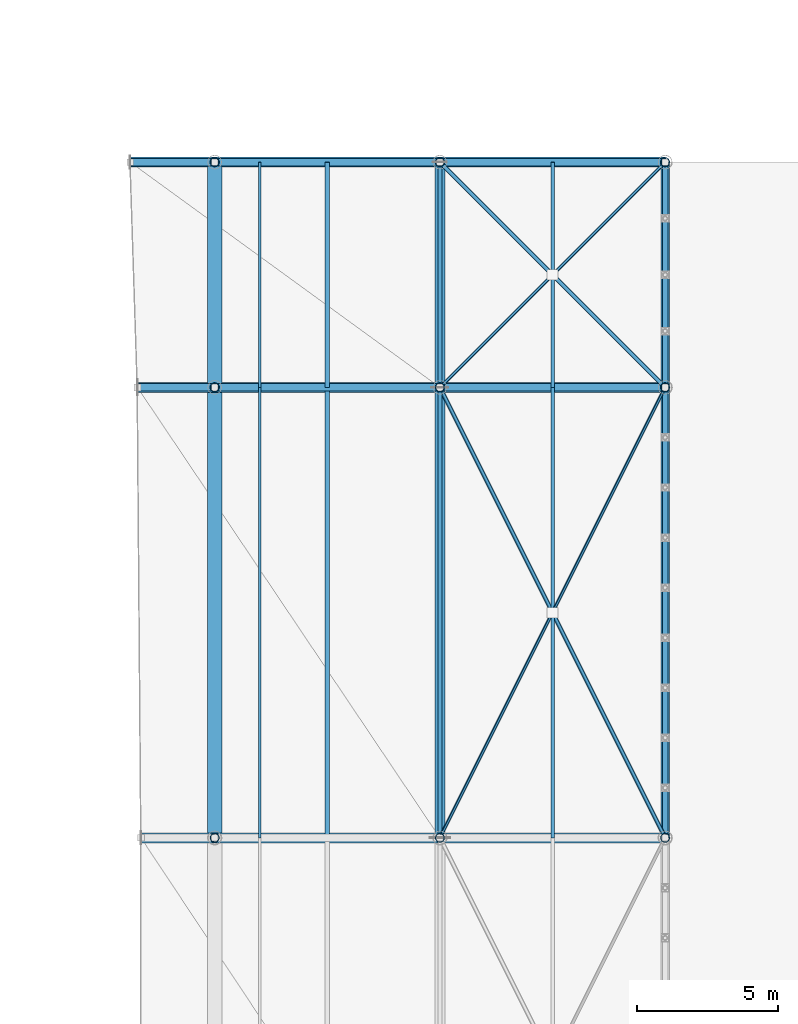
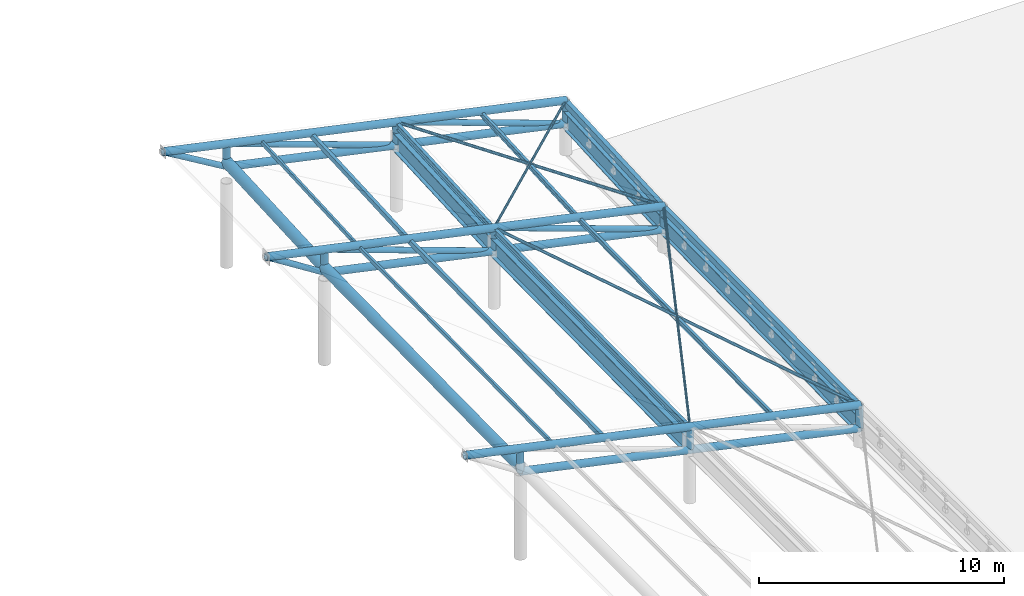
# One storey, part 24 of 54: 35 members, 8 beams.
"""IFC4 building model written with IfcOpenShell, lengths in metres."""

from ifc_helpers import new_model, si_unit, direction, frame, origin, origin_2d, place, context, subcontext, project, spatial, hollow_rectangle, hollow_circle, i_section, extrude, material, material_profile, profile_set, type_object, element, save


model = new_model("IFC4")

# Units and contexts
model_context = context("Model", 3, precision=1e-05, world=origin(), true_north=direction((0.0, 1.0)))
body_context = subcontext(model_context, "Body", "Model", "MODEL_VIEW")
ifc_project = project(units=[si_unit("LENGTHUNIT", "METRE"), si_unit("AREAUNIT", "SQUARE_METRE"), si_unit("VOLUMEUNIT", "CUBIC_METRE"), si_unit("PLANEANGLEUNIT", "RADIAN"), si_unit("MASSUNIT", "GRAM", prefix="KILO")], contexts=[model_context])

# Site, building, storey
site_placement = place(None, origin())
site = spatial("IfcSite", under=ifc_project, at=site_placement, CompositionType="ELEMENT")
building_placement = place(site_placement, origin())
building = spatial("IfcBuilding", under=site, at=building_placement, Name="Haebicheon Civic Stadium", CompositionType="ELEMENT")
storey_placement = place(building_placement, frame((0.0, 0.0, 22.800048828125)))
storey = spatial("IfcBuildingStorey", under=building, at=storey_placement, Name="L06", CompositionType="ELEMENT", Elevation=22.800048828125)

# Members
ifc_material_1 = material(Name="White painted steel SM490", Category="steel")
ifc_material_profile_1 = material_profile(ifc_material_1, hollow_circle(Radius=0.05712890625, WallThickness=0.006103515625, at=origin_2d()), Name="CHS-114.3x6.0")
ifc_profile_set_1 = profile_set([ifc_material_profile_1], Name="White painted steel SM490")
member_type_1 = type_object("IfcMemberType", Name="BRC-CHS114", PredefinedType="BRACE", material=ifc_profile_set_1)
for number, where, z_axis, x_axis, name in (
    (1, (208.0, 120.0, 2.18994140625), (-0.445632646826, -0.891265293651, 0.084010239948), (0.894427191, -0.4472135955, 0.0), "BR114 diagonal brace CAN-COMM canopy bay 4 B1"),
    (2, (203.968017578125, 111.93603515625, 2.949951171875), (-0.445632646826, -0.891265293651, 0.084010239948), (0.894427191, -0.4472135955, 0.0), "BR114 diagonal brace CAN-COMM canopy bay 4 B2"),
):
    element("IfcMember", number, at=place(storey_placement, frame(where, z_axis=z_axis, x_axis=x_axis)), inside=storey, type_object=member_type_1, material=ifc_profile_set_1, Name=name, PredefinedType="BRACE", context=body_context, shape_type="SweptSolid", body=[
        extrude(hollow_circle(Radius=0.05712890625, WallThickness=0.006103515625, at=origin_2d()), origin(), (0.0, 0.0, 1.0), 8.904296875),
    ])
for number, where, z_axis, x_axis, name in (
    (3, (208.0, 128.0, 2.612060546875), (-0.702496457379, -0.702496457379, 0.114006380255), (0.707106781187, -0.707106781187, 0.0), "BR114 diagonal brace CAN-COMM canopy bay 5 B1"),
    (4, (203.948974609375, 123.948974609375, 3.26904296875), (-0.702496457379, -0.702496457379, 0.114006380255), (0.707106781187, -0.707106781187, 0.0), "BR114 diagonal brace CAN-COMM canopy bay 5 B2"),
):
    element("IfcMember", number, at=place(storey_placement, frame(where, z_axis=z_axis, x_axis=x_axis)), inside=storey, type_object=member_type_1, material=ifc_profile_set_1, Name=name, PredefinedType="BRACE", context=body_context, shape_type="SweptSolid", body=[
        extrude(hollow_circle(Radius=0.05712890625, WallThickness=0.006103515625, at=origin_2d()), origin(), (0.0, 0.0, 1.0), 5.621337890625),
    ])
ifc_material_2 = material(Name="White painted steel SM490", Category="steel")
ifc_material_profile_2 = material_profile(ifc_material_2, hollow_circle(Radius=0.06982421875, WallThickness=0.006591796875, at=origin_2d()), Name="CHS-139.8x6.6")
ifc_profile_set_2 = profile_set([ifc_material_profile_2], Name="White painted steel SM490")
member_type_2 = type_object("IfcMemberType", Name="BRC-CHS139", PredefinedType="BRACE", material=ifc_profile_set_2)
member_1_placement = place(storey_placement, frame((208.0, 104.0, 1.97802734375), z_axis=(-0.444628249249, 0.889256498497, 0.107371317636), x_axis=(-0.894427191, -0.4472135955, 0.0)))
element("IfcMember", 5, at=member_1_placement, inside=storey, type_object=member_type_2, material=ifc_profile_set_2, Name="BR139 diagonal brace CAN-COMM canopy bay 4 A", PredefinedType="BRACE", context=body_context, shape_type="SweptSolid", body=[
    extrude(hollow_circle(Radius=0.06982421875, WallThickness=0.006591796875, at=origin_2d()), origin(), (0.0, 0.0, 1.0), 17.99267578125),
])
member_2_placement = place(storey_placement, frame((208.0, 120.0, 2.18994140625), z_axis=(-0.694763474212, 0.694763474212, 0.18603072274), x_axis=(-0.707106781187, -0.707106781187, 0.0)))
element("IfcMember", 6, at=member_2_placement, inside=storey, type_object=member_type_2, material=ifc_profile_set_2, Name="BR139 diagonal brace CAN-COMM canopy bay 5 A", PredefinedType="BRACE", context=body_context, shape_type="SweptSolid", body=[
    extrude(hollow_circle(Radius=0.06982421875, WallThickness=0.006591796875, at=origin_2d()), origin(), (0.0, 0.0, 1.0), 11.5146484375),
])
ifc_material_3 = material(Name="White painted steel SM490", Category="steel")
ifc_material_profile_3 = material_profile(ifc_material_3, hollow_circle(Radius=0.1337890625, WallThickness=0.011962890625, at=origin_2d()), Name="CHS-267.4x12.0")
ifc_profile_set_3 = profile_set([ifc_material_profile_3], Name="White painted steel SM490")
member_type_3 = type_object("IfcMemberType", Name="BRC-CHS267", PredefinedType="BRACE", material=ifc_profile_set_3)
member_3_placement = place(storey_placement, frame((191.882080078125, 120.0, 4.554931640625), z_axis=(-0.844539757698, 0.0, 0.535492854918), x_axis=(0.0, -1.0, 0.0)))
element("IfcMember", 7, at=member_3_placement, inside=storey, type_object=member_type_3, material=ifc_profile_set_3, Name="BR267 diagonal brace CAN-COMM truss 5 tip", PredefinedType="BRACE", context=body_context, shape_type="SweptSolid", body=[
    extrude(hollow_circle(Radius=0.1337890625, WallThickness=0.011962890625, at=origin_2d()), origin(), (0.0, 0.0, 1.0), 3.109375),
])
for number, where, z_axis, x_axis, name in (
    (8, (208.0, 120.0, 1.0400390625), (-0.9412665544, 0.0, 0.3376644393), (0.0, -1.0, 0.0), "BR267 diagonal brace CAN-COMM truss 5 D1"),
    (9, (200.0, 120.0, 2.760009765625), (-0.9412665544, 0.0, 0.3376644393), (0.0, -1.0, 0.0), "BR267 diagonal brace CAN-COMM truss 5 D2"),
):
    element("IfcMember", number, at=place(storey_placement, frame(where, z_axis=z_axis, x_axis=x_axis)), inside=storey, type_object=member_type_3, material=ifc_profile_set_3, Name=name, PredefinedType="BRACE", context=body_context, shape_type="SweptSolid", body=[
        extrude(hollow_circle(Radius=0.1337890625, WallThickness=0.011962890625, at=origin_2d()), origin(), (0.0, 0.0, 1.0), 8.499267578125),
    ])
member_4_placement = place(storey_placement, frame((191.8798828125, 128.0, 4.973876953125), z_axis=(-0.858121330711, 0.0, 0.513446961017), x_axis=(0.0, -1.0, 0.0)))
element("IfcMember", 10, at=member_4_placement, inside=storey, type_object=member_type_3, material=ifc_profile_set_3, Name="BR267 diagonal brace CAN-COMM truss 6 tip", PredefinedType="BRACE", context=body_context, shape_type="SweptSolid", body=[
    extrude(hollow_circle(Radius=0.1337890625, WallThickness=0.011962890625, at=origin_2d()), origin(), (0.0, 0.0, 1.0), 3.35595703125),
])
for number, where, z_axis, x_axis, name in (
    (11, (208.0, 128.0, 1.4619140625), (-0.941257424358, 0.0, 0.337689888939), (0.0, -1.0, 0.0), "BR267 diagonal brace CAN-COMM truss 6 D1"),
    (12, (200.0, 128.0, 3.181884765625), (-0.941257424358, 0.0, 0.337689888939), (0.0, -1.0, 0.0), "BR267 diagonal brace CAN-COMM truss 6 D2"),
):
    element("IfcMember", number, at=place(storey_placement, frame(where, z_axis=z_axis, x_axis=x_axis)), inside=storey, type_object=member_type_3, material=ifc_profile_set_3, Name=name, PredefinedType="BRACE", context=body_context, shape_type="SweptSolid", body=[
        extrude(hollow_circle(Radius=0.1337890625, WallThickness=0.011962890625, at=origin_2d()), origin(), (0.0, 0.0, 1.0), 8.499267578125),
    ])
ifc_material_4 = material(Name="White painted steel SM490", Category="steel")
ifc_material_profile_4 = material_profile(ifc_material_4, hollow_circle(Radius=0.177734375, WallThickness=0.01611328125, at=origin_2d()), Name="CHS-355.6x16.0")
ifc_profile_set_4 = profile_set([ifc_material_profile_4], Name="White painted steel SM490")
member_type_4 = type_object("IfcMemberType", Name="CHD-CHS355", PredefinedType="CHORD", material=ifc_profile_set_4)
member_5_placement = place(storey_placement, frame((208.0, 104.0, 1.97802734375), z_axis=(-0.977664291264, 0.0, 0.210172628063), x_axis=(0.0, -1.0, 0.0)))
element("IfcMember", 13, at=member_5_placement, inside=storey, type_object=member_type_4, material=ifc_profile_set_4, Name="CH355 truss chord CAN-COMM 4 top", PredefinedType="CHORD", context=body_context, shape_type="SweptSolid", body=[
    extrude(hollow_circle(Radius=0.177734375, WallThickness=0.01611328125, at=origin_2d()), origin(), (0.0, 0.0, 1.0), 19.041259765625),
])
member_6_placement = place(storey_placement, frame((208.0, 104.0, 0.827880859375), z_axis=(-0.977656784121, 0.0, 0.210207546159), x_axis=(0.0, -1.0, 0.0)))
element("IfcMember", 14, at=member_6_placement, inside=storey, type_object=member_type_4, material=ifc_profile_set_4, Name="CH355 truss chord CAN-COMM 4 bottom", PredefinedType="CHORD", context=body_context, shape_type="SweptSolid", body=[
    extrude(hollow_circle(Radius=0.177734375, WallThickness=0.01611328125, at=origin_2d()), origin(), (0.0, 0.0, 1.0), 16.36572265625),
])
member_7_placement = place(storey_placement, frame((208.0, 120.0, 2.18994140625), z_axis=(-0.977658132727, 0.0, 0.210201273812), x_axis=(0.0, -1.0, 0.0)))
element("IfcMember", 15, at=member_7_placement, inside=storey, type_object=member_type_4, material=ifc_profile_set_4, Name="CH355 truss chord CAN-COMM 5 top", PredefinedType="CHORD", context=body_context, shape_type="SweptSolid", body=[
    extrude(hollow_circle(Radius=0.177734375, WallThickness=0.01611328125, at=origin_2d()), origin(), (0.0, 0.0, 1.0), 19.172119140625),
])
member_8_placement = place(storey_placement, frame((208.0, 120.0, 1.0400390625), z_axis=(-0.977659849808, 0.0, 0.210193287411), x_axis=(0.0, -1.0, 0.0)))
element("IfcMember", 16, at=member_8_placement, inside=storey, type_object=member_type_4, material=ifc_profile_set_4, Name="CH355 truss chord CAN-COMM 5 bottom", PredefinedType="CHORD", context=body_context, shape_type="SweptSolid", body=[
    extrude(hollow_circle(Radius=0.177734375, WallThickness=0.01611328125, at=origin_2d()), origin(), (0.0, 0.0, 1.0), 16.36572265625),
])
member_9_placement = place(storey_placement, frame((208.0, 128.0, 2.612060546875), z_axis=(-0.977659527113, 0.0, 0.210194788339), x_axis=(0.0, -1.0, 0.0)))
element("IfcMember", 17, at=member_9_placement, inside=storey, type_object=member_type_4, material=ifc_profile_set_4, Name="CH355 truss chord CAN-COMM 6 top", PredefinedType="CHORD", context=body_context, shape_type="SweptSolid", body=[
    extrude(hollow_circle(Radius=0.177734375, WallThickness=0.01611328125, at=origin_2d()), origin(), (0.0, 0.0, 1.0), 19.43408203125),
])
member_10_placement = place(storey_placement, frame((208.0, 128.0, 1.4619140625), z_axis=(-0.977659849808, 0.0, 0.210193287411), x_axis=(0.0, -1.0, 0.0)))
element("IfcMember", 18, at=member_10_placement, inside=storey, type_object=member_type_4, material=ifc_profile_set_4, Name="CH355 truss chord CAN-COMM 6 bottom", PredefinedType="CHORD", context=body_context, shape_type="SweptSolid", body=[
    extrude(hollow_circle(Radius=0.177734375, WallThickness=0.01611328125, at=origin_2d()), origin(), (0.0, 0.0, 1.0), 16.36572265625),
])
ifc_material_5 = material(Name="White painted steel SM490", Category="steel")
ifc_material_profile_5 = material_profile(ifc_material_5, hollow_rectangle(XDim=0.10009765625, YDim=0.199951171875, WallThickness=0.008056640625, at=origin_2d()), Name="RHS-200x100x8.0")
ifc_profile_set_5 = profile_set([ifc_material_profile_5], Name="White painted steel SM490")
member_type_5 = type_object("IfcMemberType", Name="PRL-RHS200", PredefinedType="RAFTER", material=ifc_profile_set_5)
member_11_placement = place(storey_placement, frame((193.60009765625, 104.0, 5.0068359375), z_axis=(0.0, 0.99991209928, 0.013258722142), x_axis=(-1.0, 0.0, 0.0)))
element("IfcMember", 19, at=member_11_placement, inside=storey, type_object=member_type_5, material=ifc_profile_set_5, Name="CAN-COMM canopy purlin bay 4 (90%)", PredefinedType="RAFTER", context=body_context, shape_type="SweptSolid", body=[
    extrude(hollow_rectangle(XDim=0.10009765625, YDim=0.199951171875, WallThickness=0.008056640625, at=origin_2d()), origin(), (0.0, 0.0, 1.0), 16.00146484375),
])
member_12_placement = place(storey_placement, frame((193.60009765625, 120.0, 5.218994140625), z_axis=(0.0, 0.998612436199, 0.05266120269), x_axis=(-1.0, 0.0, 0.0)))
element("IfcMember", 20, at=member_12_placement, inside=storey, type_object=member_type_5, material=ifc_profile_set_5, Name="CAN-COMM canopy purlin bay 5 (90%)", PredefinedType="RAFTER", context=body_context, shape_type="SweptSolid", body=[
    extrude(hollow_rectangle(XDim=0.10009765625, YDim=0.199951171875, WallThickness=0.008056640625, at=origin_2d()), origin(), (0.0, 0.0, 1.0), 8.01123046875),
])
ifc_material_6 = material(Name="White painted steel SM490", Category="steel")
ifc_material_profile_6 = material_profile(ifc_material_6, hollow_rectangle(XDim=0.14990234375, YDim=0.25, WallThickness=0.010009765625, at=origin_2d()), Name="RHS-250x150x10.0")
ifc_profile_set_6 = profile_set([ifc_material_profile_6], Name="White painted steel SM490")
member_type_6 = type_object("IfcMemberType", Name="PRL-RHS250", PredefinedType="PURLIN", material=ifc_profile_set_6)
member_13_placement = place(storey_placement, frame((196.0, 104.0, 4.466064453125), z_axis=(0.0, 0.99991230144, 0.013243467371), x_axis=(-1.0, 0.0, 0.0)))
element("IfcMember", 21, at=member_13_placement, inside=storey, type_object=member_type_6, material=ifc_profile_set_6, Name="CAN-COMM canopy purlin bay 4 (75%)", PredefinedType="PURLIN", context=body_context, shape_type="SweptSolid", body=[
    extrude(hollow_rectangle(XDim=0.14990234375, YDim=0.25, WallThickness=0.010009765625, at=origin_2d()), origin(), (0.0, 0.0, 1.0), 16.00146484375),
])
member_14_placement = place(storey_placement, frame((196.0, 120.0, 4.677978515625), z_axis=(0.0, 0.998612436199, 0.05266120269), x_axis=(-1.0, 0.0, 0.0)))
element("IfcMember", 22, at=member_14_placement, inside=storey, type_object=member_type_6, material=ifc_profile_set_6, Name="CAN-COMM canopy purlin bay 5 (75%)", PredefinedType="PURLIN", context=body_context, shape_type="SweptSolid", body=[
    extrude(hollow_rectangle(XDim=0.14990234375, YDim=0.25, WallThickness=0.010009765625, at=origin_2d()), origin(), (0.0, 0.0, 1.0), 8.01123046875),
])
ifc_material_7 = material(Name="White painted steel SM490", Category="steel")
ifc_material_profile_7 = material_profile(ifc_material_7, i_section(OverallWidth=0.125, OverallDepth=0.25, WebThickness=0.006103515625, FlangeThickness=0.009033203125, at=origin_2d()), Name="H-250x125x6x9")
ifc_profile_set_7 = profile_set([ifc_material_profile_7], Name="White painted steel SM490")
member_type_7 = type_object("IfcMemberType", Name="PRL-ST-H250", PredefinedType="PURLIN", material=ifc_profile_set_7)
member_15_placement = place(storey_placement, frame((204.0, 104.0, 2.745849609375), z_axis=(0.0, 0.99991209928, 0.013258722142), x_axis=(-1.0, 0.0, 0.0)))
element("IfcMember", 23, at=member_15_placement, inside=storey, type_object=member_type_7, material=ifc_profile_set_7, Name="CAN-COMM canopy purlin bay 4 (25%)", PredefinedType="PURLIN", context=body_context, shape_type="SweptSolid", body=[
    extrude(i_section(OverallWidth=0.125, OverallDepth=0.25, WebThickness=0.006103515625, FlangeThickness=0.009033203125, at=origin_2d()), origin(), (0.0, 0.0, 1.0), 16.00146484375),
])
member_16_placement = place(storey_placement, frame((204.0, 120.0, 2.9580078125), z_axis=(0.0, 0.998612436199, 0.05266120269), x_axis=(-1.0, 0.0, 0.0)))
element("IfcMember", 24, at=member_16_placement, inside=storey, type_object=member_type_7, material=ifc_profile_set_7, Name="CAN-COMM canopy purlin bay 5 (25%)", PredefinedType="PURLIN", context=body_context, shape_type="SweptSolid", body=[
    extrude(i_section(OverallWidth=0.125, OverallDepth=0.25, WebThickness=0.006103515625, FlangeThickness=0.009033203125, at=origin_2d()), origin(), (0.0, 0.0, 1.0), 8.01123046875),
])
ifc_material_8 = material(Name="White painted steel SM490", Category="steel")
ifc_material_profile_8 = material_profile(ifc_material_8, i_section(OverallWidth=0.14990234375, OverallDepth=0.300048828125, WebThickness=0.006591796875, FlangeThickness=0.009033203125, at=origin_2d()), Name="H-300x150x6.5x9")
ifc_profile_set_8 = profile_set([ifc_material_profile_8], Name="White painted steel SM490")
member_type_8 = type_object("IfcMemberType", Name="PRL-ST-H300", PredefinedType="PURLIN", material=ifc_profile_set_8)
member_17_placement = place(storey_placement, frame((200.0, 104.0, 3.5810546875), z_axis=(0.0, 0.99991230144, 0.013243467371), x_axis=(-1.0, 0.0, 0.0)))
element("IfcMember", 25, at=member_17_placement, inside=storey, type_object=member_type_8, material=ifc_profile_set_8, Name="CAN-COMM canopy purlin bay 4 (50%)", PredefinedType="PURLIN", context=body_context, shape_type="SweptSolid", body=[
    extrude(i_section(OverallWidth=0.14990234375, OverallDepth=0.300048828125, WebThickness=0.006591796875, FlangeThickness=0.009033203125, at=origin_2d()), origin(), (0.0, 0.0, 1.0), 16.00146484375),
])
member_18_placement = place(storey_placement, frame((200.0, 120.0, 3.79296875), z_axis=(0.0, 0.998612436199, 0.05266120269), x_axis=(-1.0, 0.0, 0.0)))
element("IfcMember", 26, at=member_18_placement, inside=storey, type_object=member_type_8, material=ifc_profile_set_8, Name="CAN-COMM canopy purlin bay 5 (50%)", PredefinedType="PURLIN", context=body_context, shape_type="SweptSolid", body=[
    extrude(i_section(OverallWidth=0.14990234375, OverallDepth=0.300048828125, WebThickness=0.006591796875, FlangeThickness=0.009033203125, at=origin_2d()), origin(), (0.0, 0.0, 1.0), 8.01123046875),
])

# Beams
ifc_material_9 = material(Name="White painted steel SM490", Category="steel")
ifc_material_profile_9 = material_profile(ifc_material_9, hollow_circle(Radius=0.25390625, WallThickness=0.02490234375, at=origin_2d()), Name="CHS-508.0x25.0")
ifc_profile_set_9 = profile_set([ifc_material_profile_9], Name="White painted steel SM490")
beam_type_1 = type_object("IfcBeamType", Name="RB-ST-CHS508", PredefinedType="USERDEFINED", material=ifc_profile_set_9)
beam_1_placement = place(storey_placement, frame((192.0, 104.0, 4.51806640625), z_axis=(0.0, 0.99991230144, 0.013243467371), x_axis=(-1.0, 0.0, 0.0)))
element("IfcBeam", 27, at=beam_1_placement, inside=storey, type_object=beam_type_1, material=ifc_profile_set_9, Name="CAN-COMM polygonal ring beam RB-PIR bay 4", ObjectType="RING BEAM", PredefinedType="USERDEFINED", context=body_context, shape_type="SweptSolid", body=[
    extrude(hollow_circle(Radius=0.25390625, WallThickness=0.02490234375, at=origin_2d()), origin(), (0.0, 0.0, 1.0), 16.00146484375),
])
beam_2_placement = place(storey_placement, frame((192.0, 120.0, 4.72998046875), z_axis=(0.0, 0.998612436199, 0.05266120269), x_axis=(-1.0, 0.0, 0.0)))
element("IfcBeam", 28, at=beam_2_placement, inside=storey, type_object=beam_type_1, material=ifc_profile_set_9, Name="CAN-COMM polygonal ring beam RB-PIR bay 5", ObjectType="RING BEAM", PredefinedType="USERDEFINED", context=body_context, shape_type="SweptSolid", body=[
    extrude(hollow_circle(Radius=0.25390625, WallThickness=0.02490234375, at=origin_2d()), origin(), (0.0, 0.0, 1.0), 8.01123046875),
])
ifc_material_10 = material(Name="White painted steel SM490", Category="steel")
ifc_material_profile_10 = material_profile(ifc_material_10, i_section(OverallWidth=0.35009765625, OverallDepth=0.89990234375, WebThickness=0.01806640625, FlangeThickness=0.031982421875, at=origin_2d()), Name="H-900x350x18x32")
ifc_profile_set_10 = profile_set([ifc_material_profile_10], Name="White painted steel SM490")
beam_type_2 = type_object("IfcBeamType", Name="RB-ST-H900A", PredefinedType="USERDEFINED", material=ifc_profile_set_10)
beam_3_placement = place(storey_placement, frame((200.0, 104.0, 2.7978515625), z_axis=(0.0, 0.99991209928, 0.013258722142), x_axis=(-1.0, 0.0, 0.0)))
element("IfcBeam", 29, at=beam_3_placement, inside=storey, type_object=beam_type_2, material=ifc_profile_set_10, Name="CAN-COMM polygonal ring beam RB-PIV bay 4", ObjectType="RING BEAM", PredefinedType="USERDEFINED", context=body_context, shape_type="SweptSolid", body=[
    extrude(i_section(OverallWidth=0.35009765625, OverallDepth=0.89990234375, WebThickness=0.01806640625, FlangeThickness=0.031982421875, at=origin_2d()), origin(), (0.0, 0.0, 1.0), 16.00146484375),
])
beam_4_placement = place(storey_placement, frame((200.0, 120.0, 3.010009765625), z_axis=(0.0, 0.998612436199, 0.05266120269), x_axis=(-1.0, 0.0, 0.0)))
element("IfcBeam", 30, at=beam_4_placement, inside=storey, type_object=beam_type_2, material=ifc_profile_set_10, Name="CAN-COMM polygonal ring beam RB-PIV bay 5", ObjectType="RING BEAM", PredefinedType="USERDEFINED", context=body_context, shape_type="SweptSolid", body=[
    extrude(i_section(OverallWidth=0.35009765625, OverallDepth=0.89990234375, WebThickness=0.01806640625, FlangeThickness=0.031982421875, at=origin_2d()), origin(), (0.0, 0.0, 1.0), 8.01123046875),
])
ifc_material_11 = material(Name="White painted steel SM490", Category="steel")
ifc_material_profile_11 = material_profile(ifc_material_11, i_section(OverallWidth=0.300048828125, OverallDepth=0.89990234375, WebThickness=0.01611328125, FlangeThickness=0.028076171875, at=origin_2d()), Name="H-900x300x16x28")
ifc_profile_set_11 = profile_set([ifc_material_profile_11], Name="White painted steel SM490")
beam_type_3 = type_object("IfcBeamType", Name="RB-ST-H900B", PredefinedType="USERDEFINED", material=ifc_profile_set_11)
beam_5_placement = place(storey_placement, frame((208.0, 104.0, 1.077880859375), z_axis=(0.0, 0.99991209928, 0.013258722142), x_axis=(-1.0, 0.0, 0.0)))
element("IfcBeam", 31, at=beam_5_placement, inside=storey, type_object=beam_type_3, material=ifc_profile_set_11, Name="CAN-COMM polygonal ring beam RB-BCK bay 4", ObjectType="RING BEAM", PredefinedType="USERDEFINED", context=body_context, shape_type="SweptSolid", body=[
    extrude(i_section(OverallWidth=0.300048828125, OverallDepth=0.89990234375, WebThickness=0.01611328125, FlangeThickness=0.028076171875, at=origin_2d()), origin(), (0.0, 0.0, 1.0), 16.00146484375),
])
beam_6_placement = place(storey_placement, frame((208.0, 120.0, 1.2900390625), z_axis=(0.0, 0.998612436199, 0.05266120269), x_axis=(-1.0, 0.0, 0.0)))
element("IfcBeam", 32, at=beam_6_placement, inside=storey, type_object=beam_type_3, material=ifc_profile_set_11, Name="CAN-COMM polygonal ring beam RB-BCK bay 5", ObjectType="RING BEAM", PredefinedType="USERDEFINED", context=body_context, shape_type="SweptSolid", body=[
    extrude(i_section(OverallWidth=0.300048828125, OverallDepth=0.89990234375, WebThickness=0.01611328125, FlangeThickness=0.028076171875, at=origin_2d()), origin(), (0.0, 0.0, 1.0), 8.01123046875),
])
ifc_material_12 = material(Name="White painted steel SM490", Category="steel")
ifc_material_profile_12 = material_profile(ifc_material_12, hollow_rectangle(XDim=0.199951171875, YDim=0.300048828125, WallThickness=0.011962890625, at=origin_2d()), Name="RHS-300x200x12.0")
ifc_profile_set_12 = profile_set([ifc_material_profile_12], Name="White painted steel SM490")
beam_type_4 = type_object("IfcBeamType", Name="RB-ST-RHS300", PredefinedType="USERDEFINED", material=ifc_profile_set_12)
beam_7_placement = place(storey_placement, frame((208.0, 104.0, 1.8779296875), z_axis=(0.0, 0.99991230144, 0.013243467371), x_axis=(-1.0, 0.0, 0.0)))
element("IfcBeam", 33, at=beam_7_placement, inside=storey, type_object=beam_type_4, material=ifc_profile_set_12, Name="CAN-COMM polygonal ring beam RB-TOP bay 4", ObjectType="RING BEAM", PredefinedType="USERDEFINED", context=body_context, shape_type="SweptSolid", body=[
    extrude(hollow_rectangle(XDim=0.199951171875, YDim=0.300048828125, WallThickness=0.011962890625, at=origin_2d()), origin(), (0.0, 0.0, 1.0), 16.00146484375),
])
beam_8_placement = place(storey_placement, frame((208.0, 120.0, 2.08984375), z_axis=(0.0, 0.998610833104, 0.052691593336), x_axis=(-1.0, 0.0, 0.0)))
element("IfcBeam", 34, at=beam_8_placement, inside=storey, type_object=beam_type_4, material=ifc_profile_set_12, Name="CAN-COMM polygonal ring beam RB-TOP bay 5", ObjectType="RING BEAM", PredefinedType="USERDEFINED", context=body_context, shape_type="SweptSolid", body=[
    extrude(hollow_rectangle(XDim=0.199951171875, YDim=0.300048828125, WallThickness=0.011962890625, at=origin_2d()), origin(), (0.0, 0.0, 1.0), 8.01123046875),
])

# Members
ifc_material_13 = material(Name="White painted steel SM490", Category="steel")
ifc_material_profile_13 = material_profile(ifc_material_13, hollow_circle(Radius=0.1591796875, WallThickness=0.013916015625, at=origin_2d()), Name="CHS-318.5x14.0")
ifc_profile_set_13 = profile_set([ifc_material_profile_13], Name="White painted steel SM490")
member_type_9 = type_object("IfcMemberType", Name="STR-CHS318", PredefinedType="STRUT", material=ifc_profile_set_13)
for number, where, z_axis, x_axis, name in (
    (35, (208.0, 104.0, 0.827880859375), (0.0, 0.0, 1.0), (1.0, 0.0, 0.0), "ST318 web strut CAN-COMM truss 4 VB"),
    (36, (200.0, 104.0, 2.5478515625), (0.0, 0.0, 1.0), (1.0, 0.0, 0.0), "ST318 web strut CAN-COMM truss 4 VP"),
):
    element("IfcMember", number, at=place(storey_placement, frame(where, z_axis=z_axis, x_axis=x_axis)), inside=storey, type_object=member_type_9, material=ifc_profile_set_13, Name=name, PredefinedType="STRUT", context=body_context, shape_type="SweptSolid", body=[
        extrude(hollow_circle(Radius=0.1591796875, WallThickness=0.013916015625, at=origin_2d()), origin(), (0.0, 0.0, 1.0), 1.150146484375),
    ])
for number, where, z_axis, x_axis, name in (
    (37, (192.0, 104.0, 4.26806640625), (0.0, 0.0, 1.0), (1.0, 0.0, 0.0), "ST318 web strut CAN-COMM truss 4 VR"),
    (38, (208.0, 120.0, 1.0400390625), (0.0, 0.0, 1.0), (1.0, 0.0, 0.0), "ST318 web strut CAN-COMM truss 5 VB"),
    (39, (200.0, 120.0, 2.760009765625), (0.0, 0.0, 1.0), (1.0, 0.0, 0.0), "ST318 web strut CAN-COMM truss 5 VP"),
    (40, (192.0, 120.0, 4.47998046875), (0.0, 0.0, 1.0), (1.0, 0.0, 0.0), "ST318 web strut CAN-COMM truss 5 VR"),
):
    element("IfcMember", number, at=place(storey_placement, frame(where, z_axis=z_axis, x_axis=x_axis)), inside=storey, type_object=member_type_9, material=ifc_profile_set_13, Name=name, PredefinedType="STRUT", context=body_context, shape_type="SweptSolid", body=[
        extrude(hollow_circle(Radius=0.1591796875, WallThickness=0.013916015625, at=origin_2d()), origin(), (0.0, 0.0, 1.0), 1.14990234375),
    ])
for number, where, z_axis, x_axis, name in (
    (41, (208.0, 128.0, 1.4619140625), (0.0, 0.0, 1.0), (1.0, 0.0, 0.0), "ST318 web strut CAN-COMM truss 6 VB"),
    (42, (200.0, 128.0, 3.181884765625), (0.0, 0.0, 1.0), (1.0, 0.0, 0.0), "ST318 web strut CAN-COMM truss 6 VP"),
    (43, (192.0, 128.0, 4.90185546875), (0.0, 0.0, 1.0), (1.0, 0.0, 0.0), "ST318 web strut CAN-COMM truss 6 VR"),
):
    element("IfcMember", number, at=place(storey_placement, frame(where, z_axis=z_axis, x_axis=x_axis)), inside=storey, type_object=member_type_9, material=ifc_profile_set_13, Name=name, PredefinedType="STRUT", context=body_context, shape_type="SweptSolid", body=[
        extrude(hollow_circle(Radius=0.1591796875, WallThickness=0.013916015625, at=origin_2d()), origin(), (0.0, 0.0, 1.0), 1.150146484375),
    ])

save(model, "model.ifc")
